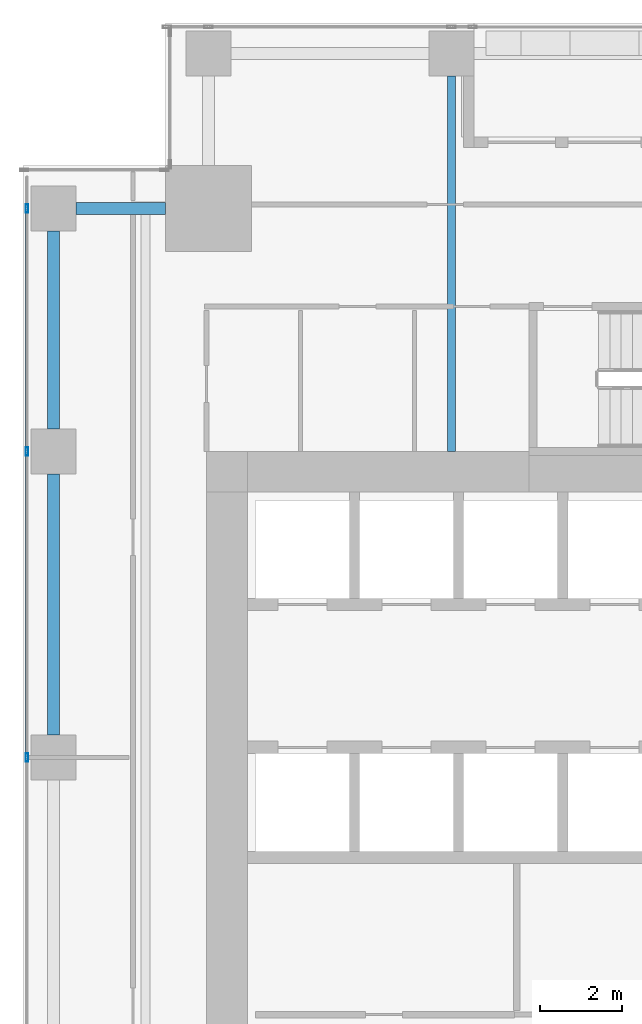
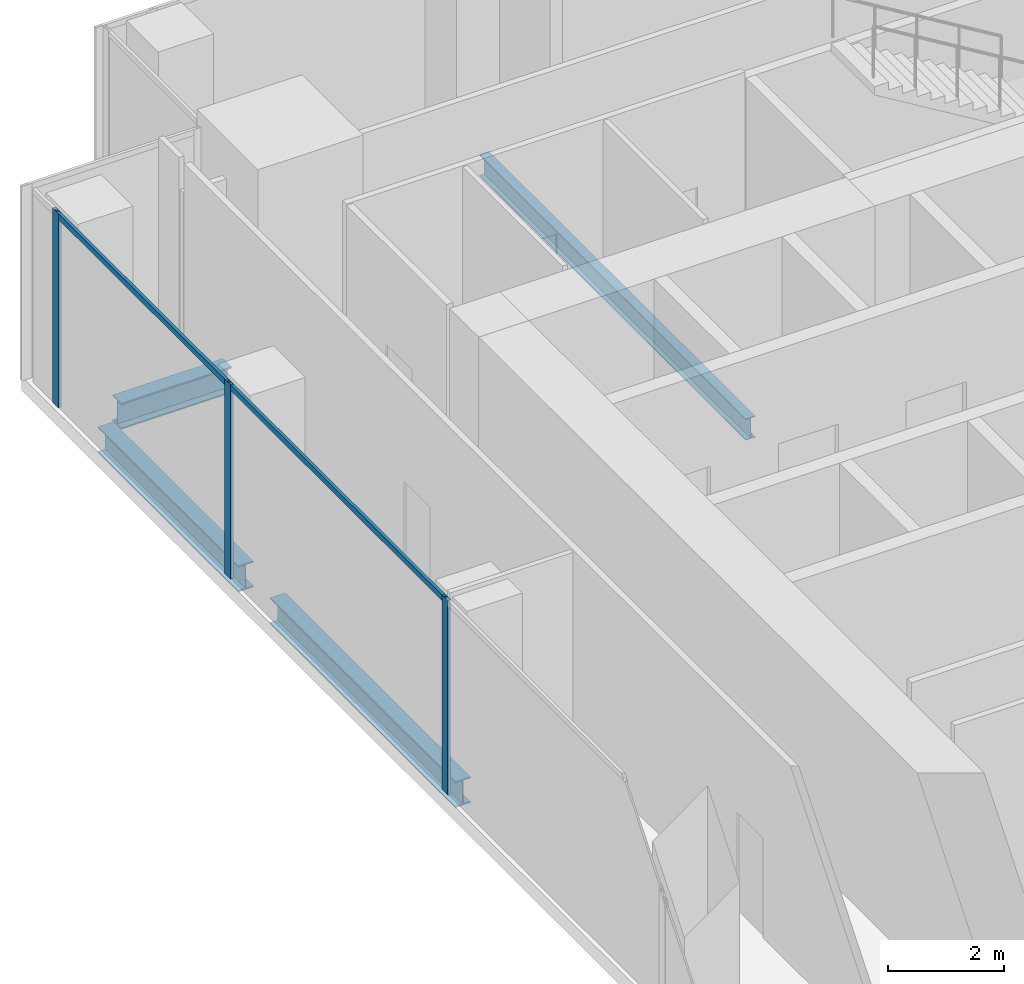
# One storey, part 14 of 34: 5 members, 4 beams, 1 element without a shape of its own.
"""IFC4 building model written with IfcOpenShell, lengths in metres."""

from ifc_helpers import new_model, si_unit, direction, frame, origin, origin_2d, place, context, subcontext, project, spatial, hollow_rectangle, i_section, extrude, source, transform, mapped, material, material_profile, profile_set, type_object, element, aggregate, save


model = new_model("IFC4")

# Units and contexts
model_context = context("Model", 3, precision=1e-05, world=origin(), true_north=direction((0.0, 1.0)))
body_context = subcontext(model_context, "Body", "Model", "MODEL_VIEW")
ifc_project = project(units=[si_unit("LENGTHUNIT", "METRE"), si_unit("AREAUNIT", "SQUARE_METRE"), si_unit("VOLUMEUNIT", "CUBIC_METRE"), si_unit("PLANEANGLEUNIT", "RADIAN"), si_unit("MASSUNIT", "GRAM", prefix="KILO")], contexts=[model_context])

# Site, building, storey
site_placement = place(None, origin())
site = spatial("IfcSite", under=ifc_project, at=site_placement, CompositionType="ELEMENT")
building_placement = place(site_placement, origin())
building = spatial("IfcBuilding", under=site, at=building_placement, Name="Khomas Fold Tower", CompositionType="ELEMENT")
storey_placement = place(building_placement, frame((0.0, 0.0, 110.300048828125)))
storey = spatial("IfcBuildingStorey", under=building, at=storey_placement, Name="L23", CompositionType="ELEMENT", Elevation=110.300048828125)

# Beams
ifc_material_1 = material(Name="Steel S355", Category="steel")
ifc_material_profile_1 = material_profile(ifc_material_1, i_section(OverallWidth=0.300048828125, OverallDepth=0.550048828125, WebThickness=0.014892578125, FlangeThickness=0.029052734375, at=origin_2d()), Name="HE 550 B")
ifc_profile_set_1 = profile_set([ifc_material_profile_1], Name="Steel S355")
beam_type_1 = type_object("IfcBeamType", Name="HE 550 B spandrel SB2", PredefinedType="SPANDREL", material=ifc_profile_set_1)
shared_shape_1 = source(origin(), body_context, "Body", "SweptSolid", [
    extrude(i_section(OverallWidth=0.300048828125, OverallDepth=0.550048828125, WebThickness=0.014892578125, FlangeThickness=0.029052734375, at=origin_2d()), origin(), (0.0, 0.0, 1.0), 4.849853515625),
])
beam_1_placement = place(storey_placement, frame((2.25, 42.550048828125, -0.574951171875), z_axis=(0.0, 1.0, 0.0), x_axis=(-1.0, 0.0, 0.0)))
element("IfcBeam", 1, at=beam_1_placement, inside=storey, type_object=beam_type_1, Name="SB2", PredefinedType="SPANDREL", context=body_context, shape_type="MappedRepresentation", body=[
    mapped(shared_shape_1, transform((0.0, 0.0, 0.0))),
])
shared_shape_2 = source(origin(), body_context, "Body", "SweptSolid", [
    extrude(i_section(OverallWidth=0.300048828125, OverallDepth=0.550048828125, WebThickness=0.014892578125, FlangeThickness=0.029052734375, at=origin_2d()), origin(), (0.0, 0.0, 1.0), 6.39990234375),
])
beam_2_placement = place(storey_placement, frame((2.25, 35.050048828125, -0.574951171875), z_axis=(0.0, 1.0, 0.0), x_axis=(-1.0, 0.0, 0.0)))
element("IfcBeam", 2, at=beam_2_placement, inside=storey, type_object=beam_type_1, Name="SB2", PredefinedType="SPANDREL", context=body_context, shape_type="MappedRepresentation", body=[
    mapped(shared_shape_2, transform((0.0, 0.0, 0.0))),
])
shared_shape_3 = source(origin(), body_context, "Body", "SweptSolid", [
    extrude(i_section(OverallWidth=0.300048828125, OverallDepth=0.550048828125, WebThickness=0.014892578125, FlangeThickness=0.029052734375, at=origin_2d()), origin(), (0.0, 0.0, 1.0), 2.199951171875),
])
beam_3_placement = place(storey_placement, frame((2.800048828125, 47.949951171875, -0.574951171875), z_axis=(1.0, 0.0, 0.0), x_axis=(0.0, 1.0, 0.0)))
element("IfcBeam", 3, at=beam_3_placement, inside=storey, type_object=beam_type_1, Name="SB2", PredefinedType="SPANDREL", context=body_context, shape_type="MappedRepresentation", body=[
    mapped(shared_shape_3, transform((0.0, 0.0, 0.0))),
])
ifc_material_2 = material(Name="Steel S355", Category="steel")
ifc_material_profile_2 = material_profile(ifc_material_2, i_section(OverallWidth=0.18994140625, OverallDepth=0.449951171875, WebThickness=0.009521484375, FlangeThickness=0.0146484375, at=origin_2d()), Name="IPE 450")
ifc_profile_set_2 = profile_set([ifc_material_profile_2], Name="Steel S355")
beam_type_2 = type_object("IfcBeamType", Name="IPE 450 beam JB4", PredefinedType="BEAM", material=ifc_profile_set_2)
shared_shape_4 = source(origin(), body_context, "Body", "SweptSolid", [
    extrude(i_section(OverallWidth=0.18994140625, OverallDepth=0.449951171875, WebThickness=0.009521484375, FlangeThickness=0.0146484375, at=origin_2d()), origin(), (0.0, 0.0, 1.0), 9.199951171875),
])
beam_4_placement = place(storey_placement, frame((12.0, 42.0, -0.525146484375), z_axis=(0.0, 1.0, 0.0), x_axis=(-1.0, 0.0, 0.0)))
element("IfcBeam", 4, at=beam_4_placement, inside=storey, type_object=beam_type_2, Name="JB4", PredefinedType="BEAM", context=body_context, shape_type="MappedRepresentation", body=[
    mapped(shared_shape_4, transform((0.0, 0.0, 0.0))),
])

# Curtain wall, members
ifc_material_3 = material(Name="Aluminium framed double glazing", Category="aluminium")
curtain_wall_type = type_object("IfcCurtainWallType", Name="SK-Unitised clear-glass wall, growing floors CW1", PredefinedType="NOTDEFINED", material=ifc_material_3)
curtain_wall_placement = place(storey_placement, origin())
curtain_wall = element("IfcCurtainWall", 5, at=curtain_wall_placement, inside=storey, type_object=curtain_wall_type, Name="CW1 run L23 09-0", PredefinedType="NOTDEFINED")
ifc_material_4 = material(Name="Aluminium", Category="aluminium")
ifc_material_profile_3 = material_profile(ifc_material_4, hollow_rectangle(XDim=0.06005859375, YDim=0.1201171875, WallThickness=0.00390625, at=origin_2d()), Name="SK-Unitised clear-glass wall, growing floors transom CW1-T")
ifc_profile_set_3 = profile_set([ifc_material_profile_3], Name="Aluminium")
member_type_1 = type_object("IfcMemberType", Name="SK-Unitised clear-glass wall, growing floors transom CW1-T", PredefinedType="USERDEFINED", material=ifc_profile_set_3)
shared_shape_5 = source(origin(), body_context, "Body", "SweptSolid", [
    extrude(hollow_rectangle(XDim=0.06005859375, YDim=0.1201171875, WallThickness=0.00390625, at=origin_2d()), origin(), (0.0, 0.0, 1.0), 7.43994140625),
])
member_1_placement = place(storey_placement, frame((1.60009765625, 41.969970703125, 4.0400390625), z_axis=(0.0, -1.0, 0.0), x_axis=(1.0, 0.0, 0.0)))
member_1 = element("IfcMember", 6, at=member_1_placement, type_object=member_type_1, Name="CW1 transom 3", ObjectType="TRANSOM", PredefinedType="USERDEFINED", context=body_context, shape_type="MappedRepresentation", body=[
    mapped(shared_shape_5, transform((0.0, 0.0, 0.0))),
])
shared_shape_6 = source(origin(), body_context, "Body", "SweptSolid", [
    extrude(hollow_rectangle(XDim=0.06005859375, YDim=0.1201171875, WallThickness=0.00390625, at=origin_2d()), origin(), (0.0, 0.0, 1.0), 5.889892578125),
])
member_2_placement = place(storey_placement, frame((1.60009765625, 47.919921875, 4.0400390625), z_axis=(0.0, -1.0, 0.0), x_axis=(1.0, 0.0, 0.0)))
member_2 = element("IfcMember", 7, at=member_2_placement, type_object=member_type_1, Name="CW1 transom 2", ObjectType="TRANSOM", PredefinedType="USERDEFINED", context=body_context, shape_type="MappedRepresentation", body=[
    mapped(shared_shape_6, transform((0.0, 0.0, 0.0))),
])
ifc_material_5 = material(Name="Aluminium", Category="aluminium")
ifc_material_profile_4 = material_profile(ifc_material_5, hollow_rectangle(XDim=0.06005859375, YDim=0.199951171875, WallThickness=0.00390625, at=origin_2d()), Name="SK-Unitised clear-glass wall, growing floors mullion CW1-M")
ifc_profile_set_4 = profile_set([ifc_material_profile_4], Name="Aluminium")
member_type_2 = type_object("IfcMemberType", Name="SK-Unitised clear-glass wall, growing floors mullion CW1-M", PredefinedType="MULLION", material=ifc_profile_set_4)
shared_shape_7 = source(origin(), body_context, "Body", "SweptSolid", [
    extrude(hollow_rectangle(XDim=0.06005859375, YDim=0.199951171875, WallThickness=0.00390625, at=origin_2d()), origin(), (0.0, 0.0, 1.0), 4.099853515625),
])
member_3_placement = place(storey_placement, frame((1.60009765625, 47.949951171875, 0.0), z_axis=(0.0, 0.0, 1.0), x_axis=(1.0, 0.0, 0.0)))
member_3 = element("IfcMember", 8, at=member_3_placement, type_object=member_type_2, Name="CW1 mullion 2", PredefinedType="MULLION", context=body_context, shape_type="MappedRepresentation", body=[
    mapped(shared_shape_7, transform((0.0, 0.0, 0.0))),
])
member_4_placement = place(storey_placement, frame((1.60009765625, 42.0, 0.0), z_axis=(0.0, 0.0, 1.0), x_axis=(1.0, 0.0, 0.0)))
member_4 = element("IfcMember", 9, at=member_4_placement, type_object=member_type_2, Name="CW1 mullion 3", PredefinedType="MULLION", context=body_context, shape_type="MappedRepresentation", body=[
    mapped(shared_shape_7, transform((0.0, 0.0, 0.0))),
])
member_5_placement = place(storey_placement, frame((1.60009765625, 34.5, 0.0), z_axis=(0.0, 0.0, 1.0), x_axis=(1.0, 0.0, 0.0)))
member_5 = element("IfcMember", 10, at=member_5_placement, type_object=member_type_2, Name="CW1 mullion 4", PredefinedType="MULLION", context=body_context, shape_type="MappedRepresentation", body=[
    mapped(shared_shape_7, transform((0.0, 0.0, 0.0))),
])
aggregate(curtain_wall, [member_3, member_4, member_5, member_2, member_1])

save(model, "model.ifc")
